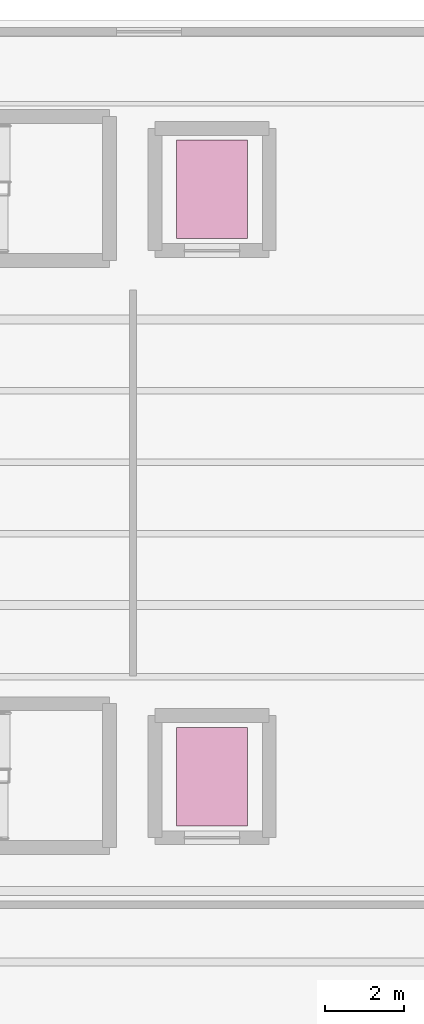
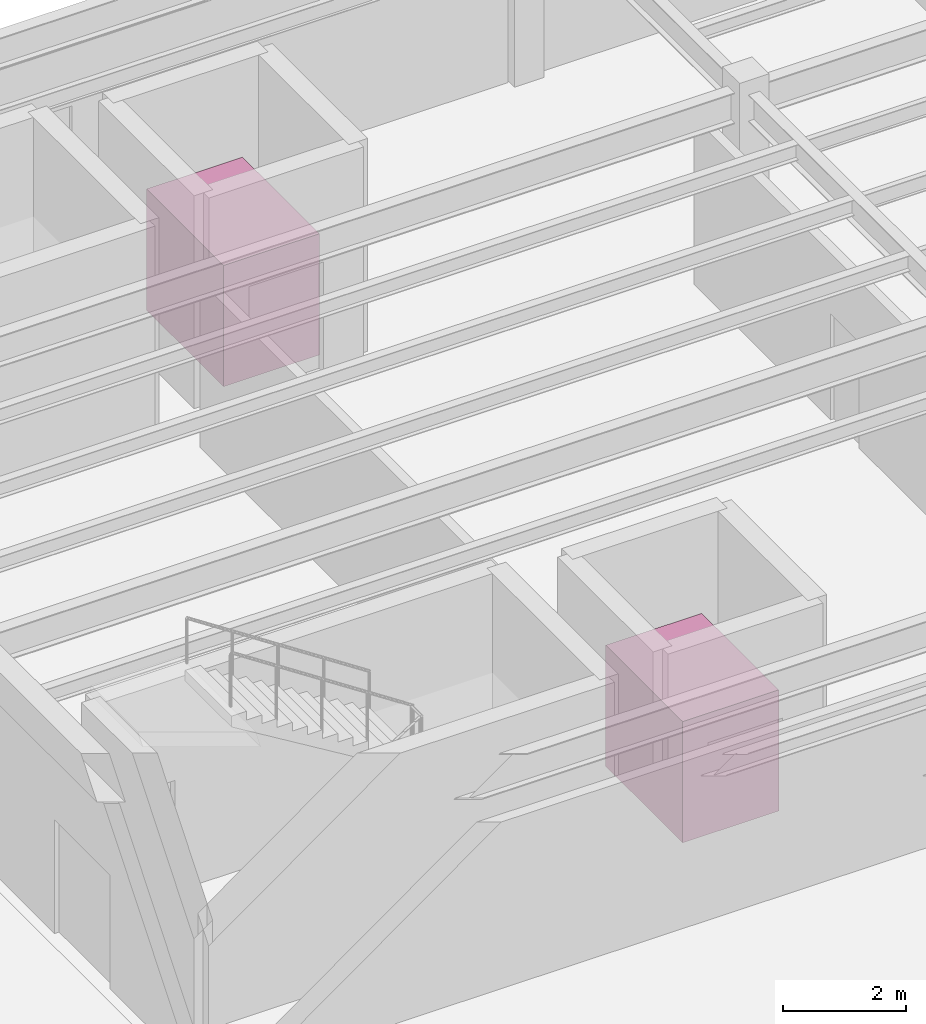
# One storey, part 85 of 85: 2 transport elements.
"""IFC4 building model written with IfcOpenShell, lengths in metres."""

from ifc_helpers import new_model, si_unit, direction, frame, origin, origin_2d, place, context, subcontext, project, spatial, rectangle, extrude, material, type_object, element, save


model = new_model("IFC4")

# Units and contexts
model_context = context("Model", 3, precision=1e-05, world=origin(), true_north=direction((0.0, 1.0)))
body_context = subcontext(model_context, "Body", "Model", "MODEL_VIEW")
ifc_project = project(units=[si_unit("LENGTHUNIT", "METRE"), si_unit("AREAUNIT", "SQUARE_METRE"), si_unit("VOLUMEUNIT", "CUBIC_METRE"), si_unit("PLANEANGLEUNIT", "RADIAN"), si_unit("MASSUNIT", "GRAM", prefix="KILO")], contexts=[model_context])

# Site, building, storey
site_placement = place(None, origin())
site = spatial("IfcSite", under=ifc_project, at=site_placement, CompositionType="ELEMENT")
building_placement = place(site_placement, origin())
building = spatial("IfcBuilding", under=site, at=building_placement, Name="Candilejo Ridge Gondola Terminal", CompositionType="ELEMENT")
storey_placement = place(building_placement, frame((0.0, 0.0, 4.5)))
storey = spatial("IfcBuildingStorey", under=building, at=storey_placement, Name="L01", CompositionType="ELEMENT", Elevation=4.5)

# Transport elements
ifc_material = material(Name="Brushed stainless steel AISI 316", Category="steel")
transport_element_type = type_object("IfcTransportElementType", Name="MEP-LIFT-CAR-GOODS", PredefinedType="ELEVATOR", material=ifc_material)
for number, where, z_axis, x_axis, name in (
    (1, (160.89990234375, 101.949951171875, 0.0), (0.0, 0.0, 1.0), (1.0, 0.0, 0.0), "Traction elevator LF-V5A"),
    (2, (160.89990234375, 116.85009765625, 0.0), (0.0, 0.0, 1.0), (1.0, 0.0, 0.0), "Traction elevator LF-V5B"),
):
    element("IfcTransportElement", number, at=place(storey_placement, frame(where, z_axis=z_axis, x_axis=x_axis)), inside=storey, type_object=transport_element_type, Name=name, PredefinedType="ELEVATOR", context=body_context, shape_type="SweptSolid", body=[
        extrude(rectangle(XDim=1.800048828125, YDim=2.5, at=origin_2d()), origin(), (0.0, 0.0, 1.0), 2.39990234375),
    ])

save(model, "model.ifc")
